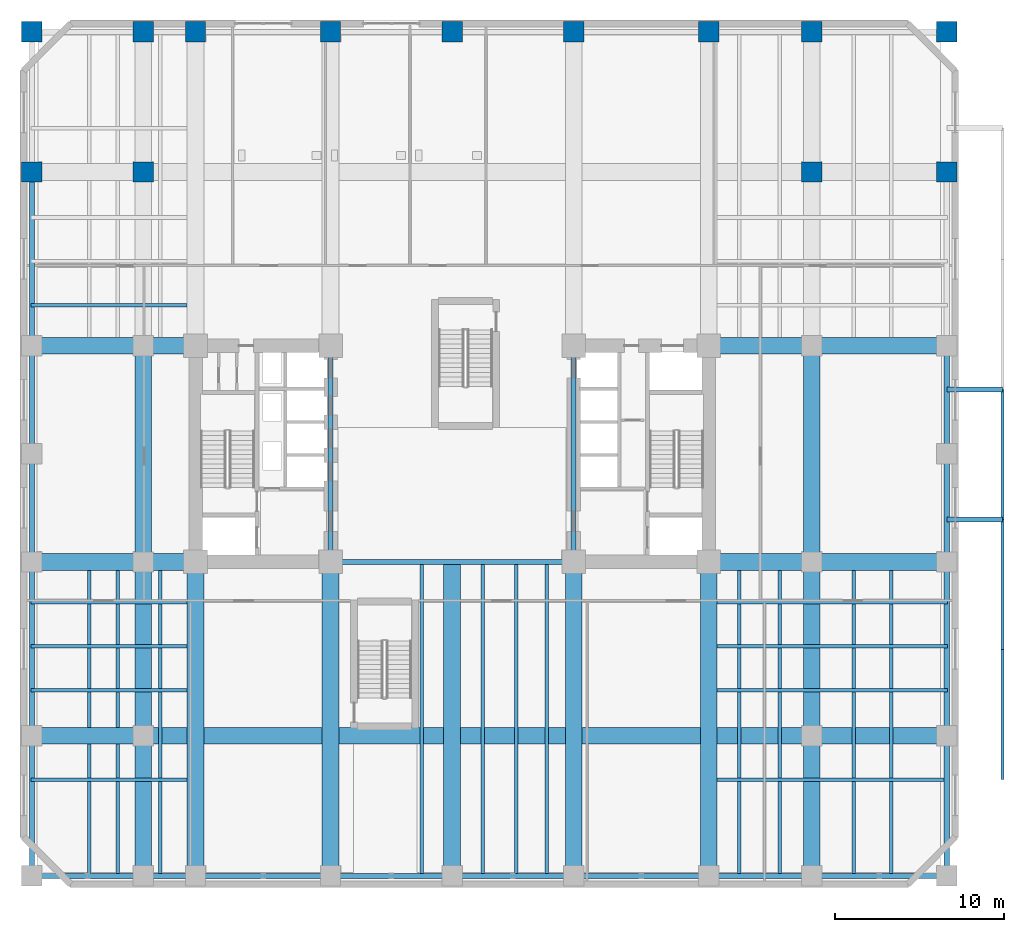
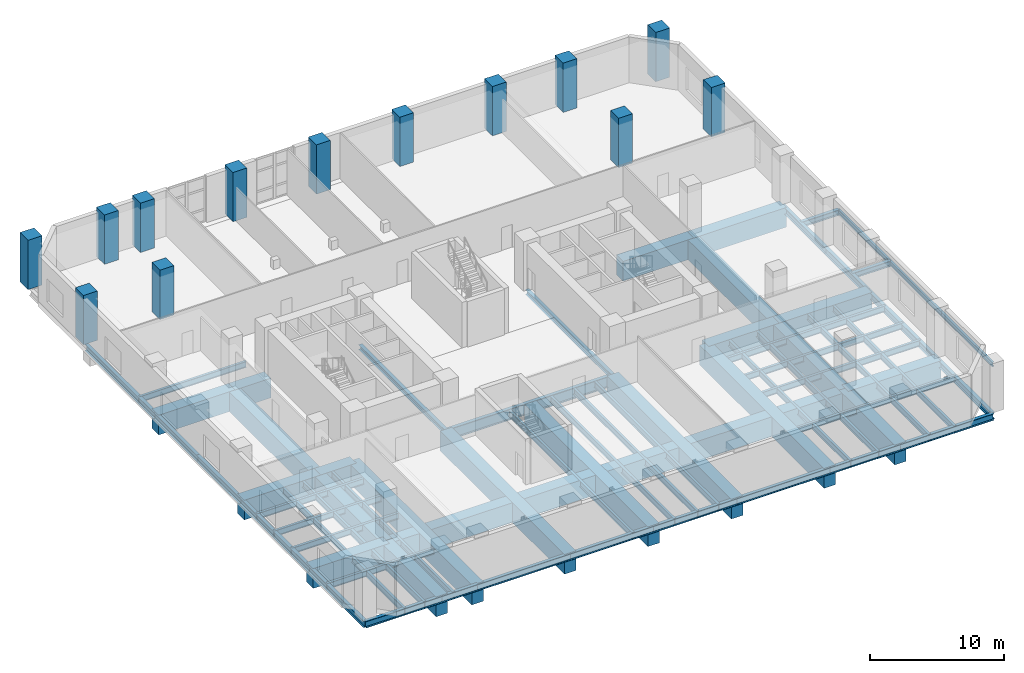
# One storey, part 3 of 15: 67 beams, 13 columns.
"""IFC4 building model written with IfcOpenShell, lengths in metres."""

import ifcopenshell
import ifcopenshell.guid

model = None  # the IFC model being written
_history = None  # IfcOwnerHistory: only IFC2X3 demands one
_inside = {}  # id of a spatial element -> (the spatial element, [elements in it])
_under = {}  # id of a project, library or spatial element -> (it, [spatial elements below it])
_declared = {}  # id of a project -> (the project, [libraries it declares])
_typed = {}  # id of a type object -> (the type object, [elements of that type])
_made_of = {}  # id of a material, layer set ... -> (it, [elements and type objects made of it])


def new_model(schema):
    """Start an empty IFC model of exactly this schema.

    Asked for "IFC4X3", IfcOpenShell would pick the latest addendum, in which some entities
    have other attributes; the version numbers below select the first issue.
    IFC2X3 requires an IfcOwnerHistory on every rooted entity: one is made here for all.
    """
    global model, _history
    if schema == "IFC4X3":
        model = ifcopenshell.file(schema_version=(4, 3, 0, 0))
    else:
        model = ifcopenshell.file(schema=schema)
    _inside.clear()
    _under.clear()
    _declared.clear()
    _typed.clear()
    _made_of.clear()
    _history = None
    if model.schema == "IFC2X3":
        org = make("IfcOrganization", Name="unknown")
        user = make(
            "IfcPersonAndOrganization",
            ThePerson=make("IfcPerson", FamilyName="unknown"),
            TheOrganization=org,
        )
        app = make(
            "IfcApplication",
            ApplicationDeveloper=org,
            Version="unknown",
            ApplicationFullName="unknown",
            ApplicationIdentifier="unknown",
        )
        _history = make(
            "IfcOwnerHistory",
            OwningUser=user,
            OwningApplication=app,
            ChangeAction="ADDED",
            CreationDate=0,
        )
    return model


def make(cls, **values):
    """One entity of the class cls with the attributes given. An attribute that is None is left unset."""
    return model.create_entity(
        cls, **{name: value for name, value in values.items() if value is not None}
    )


def rooted(cls, **values):
    """An entity with a GlobalId (a new one), such as an element, a storey or a relation."""
    return make(cls, GlobalId=ifcopenshell.guid.new(), OwnerHistory=_history, **values)


def si_unit(unit_type, name, prefix=None):
    """IfcSIUnit, for example si_unit("LENGTHUNIT", "METRE", prefix="MILLI")."""
    return make("IfcSIUnit", UnitType=unit_type, Prefix=prefix, Name=name)


def assignment(units):
    """IfcUnitAssignment: the units of a project."""
    return None if units is None else make("IfcUnitAssignment", Units=units)


def point(xyz):
    """IfcCartesianPoint."""
    return None if xyz is None else make("IfcCartesianPoint", Coordinates=xyz)


def direction(xyz):
    """IfcDirection."""
    return None if xyz is None else make("IfcDirection", DirectionRatios=xyz)


def frame(location, z_axis=None, x_axis=None):
    """IfcAxis2Placement3D, a coordinate frame: its origin and axes. An axis left out is left unset."""
    return make(
        "IfcAxis2Placement3D",
        Location=point(location),
        Axis=direction(z_axis),
        RefDirection=direction(x_axis),
    )


def frame_2d(location, x_axis=None):
    """IfcAxis2Placement2D, a coordinate frame in the plane: its origin and x axis."""
    return make(
        "IfcAxis2Placement2D", Location=point(location), RefDirection=direction(x_axis)
    )


def origin():
    """The frame at (0, 0, 0) with its axes left unset."""
    return frame((0.0, 0.0, 0.0))


def origin_2d():
    """The frame at (0, 0) in the plane with its x axis left unset."""
    return frame_2d((0.0, 0.0))


def place(relative_to, where):
    """IfcLocalPlacement: puts the frame where relative to a parent placement (None: the world)."""
    return make(
        "IfcLocalPlacement", PlacementRelTo=relative_to, RelativePlacement=where
    )


def context(
    kind, dimensions, precision=None, world=None, true_north=None, identifier=None
):
    """IfcGeometricRepresentationContext, for example the 3D "Model" context."""
    return make(
        "IfcGeometricRepresentationContext",
        ContextIdentifier=identifier,
        ContextType=kind,
        CoordinateSpaceDimension=dimensions,
        Precision=precision,
        WorldCoordinateSystem=world,
        TrueNorth=true_north,
    )


def subcontext(parent, identifier, kind, view, scale=None):
    """IfcGeometricRepresentationSubContext, for example "Body" below "Model"."""
    return make(
        "IfcGeometricRepresentationSubContext",
        ContextIdentifier=identifier,
        ContextType=kind,
        ParentContext=parent,
        TargetScale=scale,
        TargetView=view,
    )


def project(units=None, contexts=None):
    """IfcProject with its units and contexts."""
    return rooted(
        "IfcProject",
        Name="project",
        RepresentationContexts=contexts,
        UnitsInContext=assignment(units),
    )


def spatial(cls, under=None, at=None, **own):
    """A site, building, storey or space (cls), placed at a placement, below another one or the project."""
    s = rooted(cls, ObjectPlacement=at, **own)
    if under is not None:
        _under.setdefault(under.id(), (under, []))[1].append(s)
    return s


def profile(cls, at=None, kind="AREA", **sizes):
    """A parametric profile (cls). Its sizes go by their IFC names, for example OverallWidth=200.0."""
    return make(cls, ProfileType=kind, Position=at, **sizes)


def rectangle(**sizes):
    """IfcRectangleProfileDef."""
    return profile("IfcRectangleProfileDef", **sizes)


def i_section(**sizes):
    """IfcIShapeProfileDef."""
    return profile("IfcIShapeProfileDef", **sizes)


def extrude(swept, where, along, depth):
    """IfcExtrudedAreaSolid: the profile swept, set in the frame where, extruded along a direction by depth."""
    return make(
        "IfcExtrudedAreaSolid",
        SweptArea=swept,
        Position=where,
        ExtrudedDirection=direction(along),
        Depth=depth,
    )


def shape(context_of_items, identifier, shape_type, items):
    """IfcShapeRepresentation: the items that make up one representation, for example the "Body"."""
    return make(
        "IfcShapeRepresentation",
        ContextOfItems=context_of_items,
        RepresentationIdentifier=identifier,
        RepresentationType=shape_type,
        Items=items,
    )


def material(Name=None, Category=None):
    """IfcMaterial."""
    return make("IfcMaterial", Name=Name, Category=Category)


def material_profile(
    of_material, cross_section, Name=None, Category=None, Priority=None
):
    """IfcMaterialProfile: a cross section and its material."""
    return make(
        "IfcMaterialProfile",
        Name=Name,
        Material=of_material,
        Profile=cross_section,
        Priority=Priority,
        Category=Category,
    )


def profile_set(profiles, Name=None, composite=None):
    """IfcMaterialProfileSet."""
    return make(
        "IfcMaterialProfileSet",
        Name=Name,
        MaterialProfiles=profiles,
        CompositeProfile=composite,
    )


def made_of(thing, what):
    """Note that an element or type object is made of a material, layer set ...; save() writes the relation."""
    if what is not None:
        _made_of.setdefault(what.id(), (what, []))[1].append(thing)
    return thing


def type_object(cls, material=None, **own):
    """A type object (cls), such as IfcWallType, which elements share."""
    return made_of(rooted(cls, **own), material)


def element(
    cls,
    number,
    at=None,
    inside=None,
    cuts=None,
    type_object=None,
    material=None,
    context=None,
    identifier="Body",
    shape_type=None,
    held_by="IfcProductDefinitionShape",
    body=None,
    shapes=None,
    **own,
):
    """One element of the class cls, such as IfcWall. Its Tag is "e" and its number.

    at: its placement. inside: the storey or other place that contains it. cuts: it is an
    opening in that element (IfcRelVoidsElement). A single representation is given by context,
    identifier, shape_type and body (its items); several are given by shapes. held_by: the class
    of the entity that holds the representations. save() writes the other relations.
    """
    e = rooted(cls, Tag="e%d" % number, ObjectPlacement=at, **own)
    if body is not None:
        shapes = [shape(context, identifier, shape_type, body)]
    if shapes is not None:
        e.Representation = make(held_by, Representations=shapes)
    if inside is not None:
        _inside.setdefault(inside.id(), (inside, []))[1].append(e)
    if cuts is not None:
        rooted(
            "IfcRelVoidsElement", RelatingBuildingElement=cuts, RelatedOpeningElement=e
        )
    if type_object is not None:
        _typed.setdefault(type_object.id(), (type_object, []))[1].append(e)
    return made_of(e, material)


def aggregate(whole, parts):
    """IfcRelAggregates: a whole, such as a stair, and the parts it consists of."""
    return rooted("IfcRelAggregates", RelatingObject=whole, RelatedObjects=parts)


def save(model, path):
    """Write the relations noted so far, then the file.

    IfcRelAggregates (storeys below a building ...), IfcRelContainedInSpatialStructure (elements
    in a storey), IfcRelDefinesByType, IfcRelAssociatesMaterial and IfcRelDeclares: one each for
    every whole, place, type object, material and project.
    """
    for whole, parts in _under.values():
        aggregate(whole, parts)
    for where, things in _inside.values():
        rooted(
            "IfcRelContainedInSpatialStructure",
            RelatedElements=things,
            RelatingStructure=where,
        )
    for kind, things in _typed.values():
        rooted("IfcRelDefinesByType", RelatedObjects=things, RelatingType=kind)
    for what, things in _made_of.values():
        rooted("IfcRelAssociatesMaterial", RelatedObjects=things, RelatingMaterial=what)
    for by, libraries in _declared.values():
        rooted("IfcRelDeclares", RelatingContext=by, RelatedDefinitions=libraries)
    model.write(path)


model = new_model("IFC4")

# Units and contexts
model_context = context("Model", 3, precision=1e-05, world=origin(), true_north=direction((0.0, 1.0)))
body_context = subcontext(model_context, "Body", "Model", "MODEL_VIEW")
ifc_project = project(units=[si_unit("LENGTHUNIT", "METRE"), si_unit("AREAUNIT", "SQUARE_METRE"), si_unit("VOLUMEUNIT", "CUBIC_METRE"), si_unit("PLANEANGLEUNIT", "RADIAN"), si_unit("MASSUNIT", "GRAM", prefix="KILO")], contexts=[model_context])

# Site, building, storey
site_placement = place(None, origin())
site = spatial("IfcSite", under=ifc_project, at=site_placement, CompositionType="ELEMENT")
building_placement = place(site_placement, origin())
building = spatial("IfcBuilding", under=site, at=building_placement, Name="Kranthara Brick Stack", CompositionType="ELEMENT")
storey_placement = place(building_placement, frame((0.0, 0.0, 5.39990234375)))
storey = spatial("IfcBuildingStorey", under=building, at=storey_placement, Name="L01", CompositionType="ELEMENT", Elevation=5.39990234375)

# Columns
ifc_material_1 = material(Name="Concrete C70/85", Category="concrete")
ifc_material_profile_1 = material_profile(ifc_material_1, rectangle(XDim=1.199951171875, YDim=1.199951171875, at=origin_2d()), Name="RC 1200x1200")
ifc_profile_set_1 = profile_set([ifc_material_profile_1], Name="Concrete C70/85")
column_type = type_object("IfcColumnType", Name="COL-RC-1200", PredefinedType="COLUMN", material=ifc_profile_set_1)
for number, where, z_axis, x_axis, name in (
    (1, (3.10009765625, 52.199951171875, 0.0), (0.0, 0.0, 1.0), (1.0, 0.0, 0.0), "L01 Column 10"),
    (2, (9.699951171875, 52.199951171875, 0.0), (0.0, 0.0, 1.0), (1.0, 0.0, 0.0), "L01 Column 12"),
    (3, (12.800048828125, 52.199951171875, 0.0), (0.0, 0.0, 1.0), (1.0, 0.0, 0.0), "L01 Column 14"),
    (4, (20.800048828125, 52.199951171875, 0.0), (0.0, 0.0, 1.0), (1.0, 0.0, 0.0), "L01 Column 16"),
    (5, (28.0, 52.199951171875, 0.0), (0.0, 0.0, 1.0), (1.0, 0.0, 0.0), "L01 Column 18"),
    (6, (35.199951171875, 52.199951171875, 0.0), (0.0, 0.0, 1.0), (1.0, 0.0, 0.0), "L01 Column 20"),
    (7, (43.199951171875, 52.199951171875, 0.0), (0.0, 0.0, 1.0), (1.0, 0.0, 0.0), "L01 Column 22"),
    (8, (49.300048828125, 52.199951171875, 0.0), (0.0, 0.0, 1.0), (1.0, 0.0, 0.0), "L01 Column 24"),
    (9, (57.300048828125, 52.199951171875, 0.0), (0.0, 0.0, 1.0), (1.0, 0.0, 0.0), "L01 Column 26"),
    (10, (3.10009765625, 43.89990234375, 0.0), (0.0, 0.0, 1.0), (1.0, 0.0, 0.0), "L01 Column 35"),
    (11, (57.300048828125, 43.89990234375, 0.0), (0.0, 0.0, 1.0), (1.0, 0.0, 0.0), "L01 Column 36"),
    (12, (9.699951171875, 43.89990234375, 0.0), (0.0, 0.0, 1.0), (1.0, 0.0, 0.0), "L01 Column 40"),
    (13, (49.300048828125, 43.89990234375, 0.0), (0.0, 0.0, 1.0), (1.0, 0.0, 0.0), "L01 Column 44"),
):
    element("IfcColumn", number, at=place(storey_placement, frame(where, z_axis=z_axis, x_axis=x_axis)), inside=storey, type_object=column_type, Name=name, PredefinedType="COLUMN", context=body_context, shape_type="SweptSolid", body=[
        extrude(rectangle(XDim=1.199951171875, YDim=1.199951171875, at=origin_2d()), origin(), (0.0, 0.0, 1.0), 4.5),
    ])

# Beams
ifc_material_2 = material(Name="Steel S355", Category="steel")
ifc_material_profile_2 = material_profile(ifc_material_2, i_section(OverallWidth=0.179931640625, OverallDepth=0.39990234375, WebThickness=0.008544921875, FlangeThickness=0.013427734375, at=origin_2d()), Name="IPE 400")
ifc_profile_set_2 = profile_set([ifc_material_profile_2], Name="Steel S355")
beam_type_1 = type_object("IfcBeamType", Name="BM-JST-IPE400", PredefinedType="JOIST", material=ifc_profile_set_2)
beam_1_placement = place(storey_placement, frame((60.60009765625, 7.89990234375, -0.64990234375), z_axis=(0.0, 1.0, 0.0), x_axis=(-1.0, 0.0, 0.0)))
element("IfcBeam", 14, at=beam_1_placement, inside=storey, type_object=beam_type_1, Name="L01 Canopy Edge Joist 100", PredefinedType="JOIST", context=body_context, shape_type="SweptSolid", body=[
    extrude(i_section(OverallWidth=0.179931640625, OverallDepth=0.39990234375, WebThickness=0.008544921875, FlangeThickness=0.013427734375, at=origin_2d()), origin(), (0.0, 0.0, 1.0), 7.7001953125),
])
for number, where, z_axis, x_axis, name in (
    (15, (60.60009765625, 15.60009765625, -0.64990234375), (0.0, 1.0, 0.0), (-1.0, 0.0, 0.0), "L01 Canopy Edge Joist 101"),
    (16, (60.60009765625, 23.300048828125, -0.64990234375), (0.0, 1.0, 0.0), (-1.0, 0.0, 0.0), "L01 Canopy Edge Joist 102"),
):
    element("IfcBeam", number, at=place(storey_placement, frame(where, z_axis=z_axis, x_axis=x_axis)), inside=storey, type_object=beam_type_1, Name=name, PredefinedType="JOIST", context=body_context, shape_type="SweptSolid", body=[
        extrude(i_section(OverallWidth=0.179931640625, OverallDepth=0.39990234375, WebThickness=0.008544921875, FlangeThickness=0.013427734375, at=origin_2d()), origin(), (0.0, 0.0, 1.0), 7.699951171875),
    ])
ifc_material_3 = material(Name="Steel S355", Category="steel")
ifc_material_profile_3 = material_profile(ifc_material_3, i_section(OverallWidth=0.2099609375, OverallDepth=0.550048828125, WebThickness=0.010986328125, FlangeThickness=0.01708984375, at=origin_2d()), Name="IPE 550")
ifc_profile_set_3 = profile_set([ifc_material_profile_3], Name="Steel S355")
beam_type_2 = type_object("IfcBeamType", Name="BM-JST-IPE550", PredefinedType="JOIST", material=ifc_profile_set_3)
for number, where, z_axis, x_axis, name in (
    (17, (6.5, 2.14990234375, -0.724853515625), (0.0, 1.0, 0.0), (-1.0, 0.0, 0.0), "L01 South Wing Floor Joist 064"),
    (18, (8.199951171875, 2.14990234375, -0.724853515625), (0.0, 1.0, 0.0), (-1.0, 0.0, 0.0), "L01 South Wing Floor Joist 066"),
    (19, (10.699951171875, 2.14990234375, -0.724853515625), (0.0, 1.0, 0.0), (-1.0, 0.0, 0.0), "L01 South Wing Floor Joist 068"),
):
    element("IfcBeam", number, at=place(storey_placement, frame(where, z_axis=z_axis, x_axis=x_axis)), inside=storey, type_object=beam_type_2, Name=name, PredefinedType="JOIST", context=body_context, shape_type="SweptSolid", body=[
        extrude(i_section(OverallWidth=0.2099609375, OverallDepth=0.550048828125, WebThickness=0.010986328125, FlangeThickness=0.01708984375, at=origin_2d()), origin(), (0.0, 0.0, 1.0), 18.150146484375),
    ])
for number, where, z_axis, x_axis, name in (
    (20, (26.199951171875, 2.14990234375, -0.724853515625), (0.0, 1.0, 0.0), (-1.0, 0.0, 0.0), "L01 South Wing Floor Joist 070"),
    (21, (29.800048828125, 2.14990234375, -0.724853515625), (0.0, 1.0, 0.0), (-1.0, 0.0, 0.0), "L01 South Wing Floor Joist 071"),
    (22, (31.800048828125, 2.14990234375, -0.724853515625), (0.0, 1.0, 0.0), (-1.0, 0.0, 0.0), "L01 South Wing Floor Joist 072"),
    (23, (33.60009765625, 2.14990234375, -0.724853515625), (0.0, 1.0, 0.0), (-1.0, 0.0, 0.0), "L01 South Wing Floor Joist 073"),
):
    element("IfcBeam", number, at=place(storey_placement, frame(where, z_axis=z_axis, x_axis=x_axis)), inside=storey, type_object=beam_type_2, Name=name, PredefinedType="JOIST", context=body_context, shape_type="SweptSolid", body=[
        extrude(i_section(OverallWidth=0.2099609375, OverallDepth=0.550048828125, WebThickness=0.010986328125, FlangeThickness=0.01708984375, at=origin_2d()), origin(), (0.0, 0.0, 1.0), 18.5),
    ])
for number, where, z_axis, x_axis, name in (
    (24, (45.0, 2.14990234375, -0.724853515625), (0.0, 1.0, 0.0), (-1.0, 0.0, 0.0), "L01 South Wing Floor Joist 074"),
    (25, (47.39990234375, 2.14990234375, -0.724853515625), (0.0, 1.0, 0.0), (-1.0, 0.0, 0.0), "L01 South Wing Floor Joist 076"),
    (26, (51.800048828125, 2.14990234375, -0.724853515625), (0.0, 1.0, 0.0), (-1.0, 0.0, 0.0), "L01 South Wing Floor Joist 078"),
    (27, (54.0, 2.14990234375, -0.724853515625), (0.0, 1.0, 0.0), (-1.0, 0.0, 0.0), "L01 South Wing Floor Joist 080"),
):
    element("IfcBeam", number, at=place(storey_placement, frame(where, z_axis=z_axis, x_axis=x_axis)), inside=storey, type_object=beam_type_2, Name=name, PredefinedType="JOIST", context=body_context, shape_type="SweptSolid", body=[
        extrude(i_section(OverallWidth=0.2099609375, OverallDepth=0.550048828125, WebThickness=0.010986328125, FlangeThickness=0.01708984375, at=origin_2d()), origin(), (0.0, 0.0, 1.0), 18.150146484375),
    ])
beam_2_placement = place(storey_placement, frame((3.050048828125, 7.89990234375, -0.724853515625), z_axis=(1.0, 0.0, 0.0), x_axis=(0.0, 1.0, 0.0)))
element("IfcBeam", 28, at=beam_2_placement, inside=storey, type_object=beam_type_2, Name="L01 West Wing Floor Joist 082", PredefinedType="JOIST", context=body_context, shape_type="SweptSolid", body=[
    extrude(i_section(OverallWidth=0.2099609375, OverallDepth=0.550048828125, WebThickness=0.010986328125, FlangeThickness=0.01708984375, at=origin_2d()), origin(), (0.0, 0.0, 1.0), 9.25),
])
beam_3_placement = place(storey_placement, frame((43.699951171875, 7.89990234375, -0.724853515625), z_axis=(1.0, 0.0, 0.0), x_axis=(0.0, 1.0, 0.0)))
element("IfcBeam", 29, at=beam_3_placement, inside=storey, type_object=beam_type_2, Name="L01 East Wing Floor Joist 083", PredefinedType="JOIST", context=body_context, shape_type="SweptSolid", body=[
    extrude(i_section(OverallWidth=0.2099609375, OverallDepth=0.550048828125, WebThickness=0.010986328125, FlangeThickness=0.01708984375, at=origin_2d()), origin(), (0.0, 0.0, 1.0), 13.650146484375),
])
beam_4_placement = place(storey_placement, frame((3.050048828125, 13.199951171875, -0.724853515625), z_axis=(1.0, 0.0, 0.0), x_axis=(0.0, 1.0, 0.0)))
element("IfcBeam", 30, at=beam_4_placement, inside=storey, type_object=beam_type_2, Name="L01 West Wing Floor Joist 084", PredefinedType="JOIST", context=body_context, shape_type="SweptSolid", body=[
    extrude(i_section(OverallWidth=0.2099609375, OverallDepth=0.550048828125, WebThickness=0.010986328125, FlangeThickness=0.01708984375, at=origin_2d()), origin(), (0.0, 0.0, 1.0), 9.25),
])
beam_5_placement = place(storey_placement, frame((43.699951171875, 13.199951171875, -0.724853515625), z_axis=(1.0, 0.0, 0.0), x_axis=(0.0, 1.0, 0.0)))
element("IfcBeam", 31, at=beam_5_placement, inside=storey, type_object=beam_type_2, Name="L01 East Wing Floor Joist 085", PredefinedType="JOIST", context=body_context, shape_type="SweptSolid", body=[
    extrude(i_section(OverallWidth=0.2099609375, OverallDepth=0.550048828125, WebThickness=0.010986328125, FlangeThickness=0.01708984375, at=origin_2d()), origin(), (0.0, 0.0, 1.0), 13.650146484375),
])
beam_6_placement = place(storey_placement, frame((3.050048828125, 15.800048828125, -0.724853515625), z_axis=(1.0, 0.0, 0.0), x_axis=(0.0, 1.0, 0.0)))
element("IfcBeam", 32, at=beam_6_placement, inside=storey, type_object=beam_type_2, Name="L01 West Wing Floor Joist 086", PredefinedType="JOIST", context=body_context, shape_type="SweptSolid", body=[
    extrude(i_section(OverallWidth=0.2099609375, OverallDepth=0.550048828125, WebThickness=0.010986328125, FlangeThickness=0.01708984375, at=origin_2d()), origin(), (0.0, 0.0, 1.0), 9.25),
])
beam_7_placement = place(storey_placement, frame((43.699951171875, 15.800048828125, -0.724853515625), z_axis=(1.0, 0.0, 0.0), x_axis=(0.0, 1.0, 0.0)))
element("IfcBeam", 33, at=beam_7_placement, inside=storey, type_object=beam_type_2, Name="L01 East Wing Floor Joist 087", PredefinedType="JOIST", context=body_context, shape_type="SweptSolid", body=[
    extrude(i_section(OverallWidth=0.2099609375, OverallDepth=0.550048828125, WebThickness=0.010986328125, FlangeThickness=0.01708984375, at=origin_2d()), origin(), (0.0, 0.0, 1.0), 13.650146484375),
])
beam_8_placement = place(storey_placement, frame((3.050048828125, 18.39990234375, -0.724853515625), z_axis=(1.0, 0.0, 0.0), x_axis=(0.0, 1.0, 0.0)))
element("IfcBeam", 34, at=beam_8_placement, inside=storey, type_object=beam_type_2, Name="L01 West Wing Floor Joist 088", PredefinedType="JOIST", context=body_context, shape_type="SweptSolid", body=[
    extrude(i_section(OverallWidth=0.2099609375, OverallDepth=0.550048828125, WebThickness=0.010986328125, FlangeThickness=0.01708984375, at=origin_2d()), origin(), (0.0, 0.0, 1.0), 9.25),
])
beam_9_placement = place(storey_placement, frame((43.699951171875, 18.39990234375, -0.724853515625), z_axis=(1.0, 0.0, 0.0), x_axis=(0.0, 1.0, 0.0)))
element("IfcBeam", 35, at=beam_9_placement, inside=storey, type_object=beam_type_2, Name="L01 East Wing Floor Joist 089", PredefinedType="JOIST", context=body_context, shape_type="SweptSolid", body=[
    extrude(i_section(OverallWidth=0.2099609375, OverallDepth=0.550048828125, WebThickness=0.010986328125, FlangeThickness=0.01708984375, at=origin_2d()), origin(), (0.0, 0.0, 1.0), 13.650146484375),
])
beam_10_placement = place(storey_placement, frame((3.050048828125, 36.0, -0.724853515625), z_axis=(1.0, 0.0, 0.0), x_axis=(0.0, 1.0, 0.0)))
element("IfcBeam", 36, at=beam_10_placement, inside=storey, type_object=beam_type_2, Name="L01 West Wing Floor Joist 090", PredefinedType="JOIST", context=body_context, shape_type="SweptSolid", body=[
    extrude(i_section(OverallWidth=0.2099609375, OverallDepth=0.550048828125, WebThickness=0.010986328125, FlangeThickness=0.01708984375, at=origin_2d()), origin(), (0.0, 0.0, 1.0), 9.25),
])
ifc_material_4 = material(Name="Steel S355", Category="steel")
ifc_material_profile_4 = material_profile(ifc_material_4, i_section(OverallWidth=0.300048828125, OverallDepth=0.449951171875, WebThickness=0.013916015625, FlangeThickness=0.02587890625, at=origin_2d()), Name="HEB 450")
ifc_profile_set_4 = profile_set([ifc_material_profile_4], Name="Steel S355")
beam_type_3 = type_object("IfcBeamType", Name="BM-STL-HEB450", PredefinedType="SPANDREL", material=ifc_profile_set_4)
for number, where, z_axis, x_axis, name in (
    (37, (20.800048828125, 20.800048828125, -0.6748046875), (0.0, 1.0, 0.0), (-1.0, 0.0, 0.0), "L01 Core Edge Tie Beam 002"),
    (38, (35.199951171875, 20.800048828125, -0.6748046875), (0.0, 1.0, 0.0), (-1.0, 0.0, 0.0), "L01 Core Edge Tie Beam 003"),
):
    element("IfcBeam", number, at=place(storey_placement, frame(where, z_axis=z_axis, x_axis=x_axis)), inside=storey, type_object=beam_type_3, Name=name, PredefinedType="SPANDREL", context=body_context, shape_type="SweptSolid", body=[
        extrude(i_section(OverallWidth=0.300048828125, OverallDepth=0.449951171875, WebThickness=0.013916015625, FlangeThickness=0.02587890625, at=origin_2d()), origin(), (0.0, 0.0, 1.0), 12.800048828125),
    ])
ifc_material_5 = material(Name="Steel S355", Category="steel")
ifc_material_profile_5 = material_profile(ifc_material_5, i_section(OverallWidth=0.300048828125, OverallDepth=0.5, WebThickness=0.014404296875, FlangeThickness=0.028076171875, at=origin_2d()), Name="HEB 500")
ifc_profile_set_5 = profile_set([ifc_material_profile_5], Name="Steel S355")
beam_type_4 = type_object("IfcBeamType", Name="BM-STL-HEB500", PredefinedType="BEAM", material=ifc_profile_set_5)
for number, where, z_axis, x_axis, name in (
    (39, (57.300048828125, 23.300048828125, -0.699951171875), (1.0, 0.0, 0.0), (0.0, 1.0, 0.0), "L01 Canopy Tie Beam 097"),
    (40, (57.300048828125, 31.0, -0.699951171875), (1.0, 0.0, 0.0), (0.0, 1.0, 0.0), "L01 Canopy Tie Beam 098"),
):
    element("IfcBeam", number, at=place(storey_placement, frame(where, z_axis=z_axis, x_axis=x_axis)), inside=storey, type_object=beam_type_4, Name=name, PredefinedType="BEAM", context=body_context, shape_type="SweptSolid", body=[
        extrude(i_section(OverallWidth=0.300048828125, OverallDepth=0.5, WebThickness=0.014404296875, FlangeThickness=0.028076171875, at=origin_2d()), origin(), (0.0, 0.0, 1.0), 3.300048828125),
    ])
ifc_material_6 = material(Name="Steel S355", Category="steel")
ifc_material_profile_6 = material_profile(ifc_material_6, i_section(OverallWidth=0.300048828125, OverallDepth=0.60009765625, WebThickness=0.015380859375, FlangeThickness=0.030029296875, at=origin_2d()), Name="HEB 600")
ifc_profile_set_6 = profile_set([ifc_material_profile_6], Name="Steel S355")
beam_type_5 = type_object("IfcBeamType", Name="BM-STL-HEB600", PredefinedType="BEAM", material=ifc_profile_set_6)
beam_11_placement = place(storey_placement, frame((3.10009765625, 2.199951171875, -0.75), z_axis=(1.0, 0.0, 0.0), x_axis=(0.0, 1.0, 0.0)))
element("IfcBeam", 41, at=beam_11_placement, inside=storey, type_object=beam_type_5, Name="L01 Perimeter Spandrel Beam 004", PredefinedType="BEAM", context=body_context, shape_type="SweptSolid", body=[
    extrude(i_section(OverallWidth=0.300048828125, OverallDepth=0.60009765625, WebThickness=0.015380859375, FlangeThickness=0.030029296875, at=origin_2d()), origin(), (0.0, 0.0, 1.0), 6.599853515625),
])
beam_12_placement = place(storey_placement, frame((9.699951171875, 2.199951171875, -0.75), z_axis=(1.0, 0.0, 0.0), x_axis=(0.0, 1.0, 0.0)))
element("IfcBeam", 42, at=beam_12_placement, inside=storey, type_object=beam_type_5, Name="L01 Perimeter Spandrel Beam 005", PredefinedType="BEAM", context=body_context, shape_type="SweptSolid", body=[
    extrude(i_section(OverallWidth=0.300048828125, OverallDepth=0.60009765625, WebThickness=0.015380859375, FlangeThickness=0.030029296875, at=origin_2d()), origin(), (0.0, 0.0, 1.0), 3.10009765625),
])
beam_13_placement = place(storey_placement, frame((12.800048828125, 2.199951171875, -0.75), z_axis=(1.0, 0.0, 0.0), x_axis=(0.0, 1.0, 0.0)))
element("IfcBeam", 43, at=beam_13_placement, inside=storey, type_object=beam_type_5, Name="L01 Perimeter Spandrel Beam 006", PredefinedType="BEAM", context=body_context, shape_type="SweptSolid", body=[
    extrude(i_section(OverallWidth=0.300048828125, OverallDepth=0.60009765625, WebThickness=0.015380859375, FlangeThickness=0.030029296875, at=origin_2d()), origin(), (0.0, 0.0, 1.0), 8.0),
])
for number, where, z_axis, x_axis, name in (
    (44, (20.800048828125, 2.199951171875, -0.75), (1.0, 0.0, 0.0), (0.0, 1.0, 0.0), "L01 Perimeter Spandrel Beam 007"),
    (45, (28.0, 2.199951171875, -0.75), (1.0, 0.0, 0.0), (0.0, 1.0, 0.0), "L01 Perimeter Spandrel Beam 008"),
):
    element("IfcBeam", number, at=place(storey_placement, frame(where, z_axis=z_axis, x_axis=x_axis)), inside=storey, type_object=beam_type_5, Name=name, PredefinedType="BEAM", context=body_context, shape_type="SweptSolid", body=[
        extrude(i_section(OverallWidth=0.300048828125, OverallDepth=0.60009765625, WebThickness=0.015380859375, FlangeThickness=0.030029296875, at=origin_2d()), origin(), (0.0, 0.0, 1.0), 7.199951171875),
    ])
beam_14_placement = place(storey_placement, frame((35.199951171875, 2.199951171875, -0.75), z_axis=(1.0, 0.0, 0.0), x_axis=(0.0, 1.0, 0.0)))
element("IfcBeam", 46, at=beam_14_placement, inside=storey, type_object=beam_type_5, Name="L01 Perimeter Spandrel Beam 009", PredefinedType="BEAM", context=body_context, shape_type="SweptSolid", body=[
    extrude(i_section(OverallWidth=0.300048828125, OverallDepth=0.60009765625, WebThickness=0.015380859375, FlangeThickness=0.030029296875, at=origin_2d()), origin(), (0.0, 0.0, 1.0), 8.0),
])
beam_15_placement = place(storey_placement, frame((43.199951171875, 2.199951171875, -0.75), z_axis=(1.0, 0.0, 0.0), x_axis=(0.0, 1.0, 0.0)))
element("IfcBeam", 47, at=beam_15_placement, inside=storey, type_object=beam_type_5, Name="L01 Perimeter Spandrel Beam 010", PredefinedType="BEAM", context=body_context, shape_type="SweptSolid", body=[
    extrude(i_section(OverallWidth=0.300048828125, OverallDepth=0.60009765625, WebThickness=0.015380859375, FlangeThickness=0.030029296875, at=origin_2d()), origin(), (0.0, 0.0, 1.0), 6.10009765625),
])
beam_16_placement = place(storey_placement, frame((49.300048828125, 2.199951171875, -0.75), z_axis=(1.0, 0.0, 0.0), x_axis=(0.0, 1.0, 0.0)))
element("IfcBeam", 48, at=beam_16_placement, inside=storey, type_object=beam_type_5, Name="L01 Perimeter Spandrel Beam 011", PredefinedType="BEAM", context=body_context, shape_type="SweptSolid", body=[
    extrude(i_section(OverallWidth=0.300048828125, OverallDepth=0.60009765625, WebThickness=0.015380859375, FlangeThickness=0.030029296875, at=origin_2d()), origin(), (0.0, 0.0, 1.0), 8.0),
])
beam_17_placement = place(storey_placement, frame((3.10009765625, 2.199951171875, -0.75), z_axis=(0.0, 1.0, 0.0), x_axis=(-1.0, 0.0, 0.0)))
element("IfcBeam", 49, at=beam_17_placement, inside=storey, type_object=beam_type_5, Name="L01 Perimeter Spandrel Beam 020", PredefinedType="BEAM", context=body_context, shape_type="SweptSolid", body=[
    extrude(i_section(OverallWidth=0.300048828125, OverallDepth=0.60009765625, WebThickness=0.015380859375, FlangeThickness=0.030029296875, at=origin_2d()), origin(), (0.0, 0.0, 1.0), 8.300048828125),
])
beam_18_placement = place(storey_placement, frame((3.10009765625, 10.5, -0.75), z_axis=(0.0, 1.0, 0.0), x_axis=(-1.0, 0.0, 0.0)))
element("IfcBeam", 50, at=beam_18_placement, inside=storey, type_object=beam_type_5, Name="L01 Perimeter Spandrel Beam 021", PredefinedType="BEAM", context=body_context, shape_type="SweptSolid", body=[
    extrude(i_section(OverallWidth=0.300048828125, OverallDepth=0.60009765625, WebThickness=0.015380859375, FlangeThickness=0.030029296875, at=origin_2d()), origin(), (0.0, 0.0, 1.0), 10.300048828125),
])
beam_19_placement = place(storey_placement, frame((3.10009765625, 20.800048828125, -0.75), z_axis=(0.0, 1.0, 0.0), x_axis=(-1.0, 0.0, 0.0)))
element("IfcBeam", 51, at=beam_19_placement, inside=storey, type_object=beam_type_5, Name="L01 Perimeter Spandrel Beam 022", PredefinedType="BEAM", context=body_context, shape_type="SweptSolid", body=[
    extrude(i_section(OverallWidth=0.300048828125, OverallDepth=0.60009765625, WebThickness=0.015380859375, FlangeThickness=0.030029296875, at=origin_2d()), origin(), (0.0, 0.0, 1.0), 6.39990234375),
])
beam_20_placement = place(storey_placement, frame((3.10009765625, 27.199951171875, -0.75), z_axis=(0.0, 1.0, 0.0), x_axis=(-1.0, 0.0, 0.0)))
element("IfcBeam", 52, at=beam_20_placement, inside=storey, type_object=beam_type_5, Name="L01 Perimeter Spandrel Beam 023", PredefinedType="BEAM", context=body_context, shape_type="SweptSolid", body=[
    extrude(i_section(OverallWidth=0.300048828125, OverallDepth=0.60009765625, WebThickness=0.015380859375, FlangeThickness=0.030029296875, at=origin_2d()), origin(), (0.0, 0.0, 1.0), 6.400146484375),
])
beam_21_placement = place(storey_placement, frame((3.10009765625, 33.60009765625, -0.75), z_axis=(0.0, 1.0, 0.0), x_axis=(-1.0, 0.0, 0.0)))
element("IfcBeam", 53, at=beam_21_placement, inside=storey, type_object=beam_type_5, Name="L01 Perimeter Spandrel Beam 024", PredefinedType="BEAM", context=body_context, shape_type="SweptSolid", body=[
    extrude(i_section(OverallWidth=0.300048828125, OverallDepth=0.60009765625, WebThickness=0.015380859375, FlangeThickness=0.030029296875, at=origin_2d()), origin(), (0.0, 0.0, 1.0), 10.2998046875),
])
beam_22_placement = place(storey_placement, frame((57.300048828125, 2.199951171875, -0.75), z_axis=(0.0, 1.0, 0.0), x_axis=(-1.0, 0.0, 0.0)))
element("IfcBeam", 54, at=beam_22_placement, inside=storey, type_object=beam_type_5, Name="L01 Perimeter Spandrel Beam 026", PredefinedType="BEAM", context=body_context, shape_type="SweptSolid", body=[
    extrude(i_section(OverallWidth=0.300048828125, OverallDepth=0.60009765625, WebThickness=0.015380859375, FlangeThickness=0.030029296875, at=origin_2d()), origin(), (0.0, 0.0, 1.0), 8.300048828125),
])
beam_23_placement = place(storey_placement, frame((57.300048828125, 10.5, -0.75), z_axis=(0.0, 1.0, 0.0), x_axis=(-1.0, 0.0, 0.0)))
element("IfcBeam", 55, at=beam_23_placement, inside=storey, type_object=beam_type_5, Name="L01 Perimeter Spandrel Beam 027", PredefinedType="BEAM", context=body_context, shape_type="SweptSolid", body=[
    extrude(i_section(OverallWidth=0.300048828125, OverallDepth=0.60009765625, WebThickness=0.015380859375, FlangeThickness=0.030029296875, at=origin_2d()), origin(), (0.0, 0.0, 1.0), 10.300048828125),
])
beam_24_placement = place(storey_placement, frame((57.300048828125, 20.800048828125, -0.75), z_axis=(0.0, 1.0, 0.0), x_axis=(-1.0, 0.0, 0.0)))
element("IfcBeam", 56, at=beam_24_placement, inside=storey, type_object=beam_type_5, Name="L01 Perimeter Spandrel Beam 028", PredefinedType="BEAM", context=body_context, shape_type="SweptSolid", body=[
    extrude(i_section(OverallWidth=0.300048828125, OverallDepth=0.60009765625, WebThickness=0.015380859375, FlangeThickness=0.030029296875, at=origin_2d()), origin(), (0.0, 0.0, 1.0), 6.39990234375),
])
beam_25_placement = place(storey_placement, frame((57.300048828125, 27.199951171875, -0.75), z_axis=(0.0, 1.0, 0.0), x_axis=(-1.0, 0.0, 0.0)))
element("IfcBeam", 57, at=beam_25_placement, inside=storey, type_object=beam_type_5, Name="L01 Perimeter Spandrel Beam 029", PredefinedType="BEAM", context=body_context, shape_type="SweptSolid", body=[
    extrude(i_section(OverallWidth=0.300048828125, OverallDepth=0.60009765625, WebThickness=0.015380859375, FlangeThickness=0.030029296875, at=origin_2d()), origin(), (0.0, 0.0, 1.0), 6.400146484375),
])
ifc_material_7 = material(Name="Steel S460", Category="steel")
ifc_material_profile_7 = material_profile(ifc_material_7, i_section(OverallWidth=0.300048828125, OverallDepth=1.0, WebThickness=0.01904296875, FlangeThickness=0.035888671875, at=origin_2d()), Name="HEB 1000")
ifc_profile_set_7 = profile_set([ifc_material_profile_7], Name="Steel S460")
beam_type_6 = type_object("IfcBeamType", Name="BM-TR-HEB1000", PredefinedType="BEAM", material=ifc_profile_set_7)
beam_26_placement = place(storey_placement, frame((20.800048828125, 20.800048828125, -0.949951171875), z_axis=(1.0, 0.0, 0.0), x_axis=(0.0, 1.0, 0.0)))
element("IfcBeam", 58, at=beam_26_placement, inside=storey, type_object=beam_type_6, Name="L01 Core Coupling Beam 001", PredefinedType="BEAM", context=body_context, shape_type="SweptSolid", body=[
    extrude(i_section(OverallWidth=0.300048828125, OverallDepth=1.0, WebThickness=0.01904296875, FlangeThickness=0.035888671875, at=origin_2d()), origin(), (0.0, 0.0, 1.0), 14.39990234375),
])
ifc_material_8 = material(Name="Post-tensioned concrete C50/60", Category="concrete")
ifc_material_profile_8 = material_profile(ifc_material_8, rectangle(XDim=1.0, YDim=1.800048828125, at=origin_2d()), Name="PT 1000x1800")
ifc_profile_set_8 = profile_set([ifc_material_profile_8], Name="Post-tensioned concrete C50/60")
beam_type_7 = type_object("IfcBeamType", Name="BM-TR-PT1800", PredefinedType="T_BEAM", material=ifc_profile_set_8)
beam_27_placement = place(storey_placement, frame((9.699951171875, 2.199951171875, -1.349853515625), z_axis=(0.0, 1.0, 0.0), x_axis=(-1.0, 0.0, 0.0)))
element("IfcBeam", 59, at=beam_27_placement, inside=storey, type_object=beam_type_7, Name="L01 Primary Grid Girder 031", PredefinedType="T_BEAM", context=body_context, shape_type="SweptSolid", body=[
    extrude(rectangle(XDim=1.0, YDim=1.800048828125, at=origin_2d()), origin(), (0.0, 0.0, 1.0), 8.300048828125),
])
beam_28_placement = place(storey_placement, frame((9.699951171875, 10.5, -1.349853515625), z_axis=(0.0, 1.0, 0.0), x_axis=(-1.0, 0.0, 0.0)))
element("IfcBeam", 60, at=beam_28_placement, inside=storey, type_object=beam_type_7, Name="L01 Primary Grid Girder 032", PredefinedType="T_BEAM", context=body_context, shape_type="SweptSolid", body=[
    extrude(rectangle(XDim=1.0, YDim=1.800048828125, at=origin_2d()), origin(), (0.0, 0.0, 1.0), 10.300048828125),
])
beam_29_placement = place(storey_placement, frame((9.699951171875, 20.800048828125, -1.349853515625), z_axis=(0.0, 1.0, 0.0), x_axis=(-1.0, 0.0, 0.0)))
element("IfcBeam", 61, at=beam_29_placement, inside=storey, type_object=beam_type_7, Name="L01 Primary Grid Girder 033", PredefinedType="T_BEAM", context=body_context, shape_type="SweptSolid", body=[
    extrude(rectangle(XDim=1.0, YDim=1.800048828125, at=origin_2d()), origin(), (0.0, 0.0, 1.0), 12.800048828125),
])
for number, where, z_axis, x_axis, name in (
    (62, (12.800048828125, 2.199951171875, -1.349853515625), (0.0, 1.0, 0.0), (-1.0, 0.0, 0.0), "L01 Primary Grid Girder 036"),
    (63, (20.800048828125, 2.199951171875, -1.349853515625), (0.0, 1.0, 0.0), (-1.0, 0.0, 0.0), "L01 Primary Grid Girder 038"),
):
    element("IfcBeam", number, at=place(storey_placement, frame(where, z_axis=z_axis, x_axis=x_axis)), inside=storey, type_object=beam_type_7, Name=name, PredefinedType="T_BEAM", context=body_context, shape_type="SweptSolid", body=[
        extrude(rectangle(XDim=1.0, YDim=1.800048828125, at=origin_2d()), origin(), (0.0, 0.0, 1.0), 18.60009765625),
    ])
beam_30_placement = place(storey_placement, frame((28.0, 2.199951171875, -1.349853515625), z_axis=(0.0, 1.0, 0.0), x_axis=(-1.0, 0.0, 0.0)))
element("IfcBeam", 64, at=beam_30_placement, inside=storey, type_object=beam_type_7, Name="L01 Primary Grid Girder 040", PredefinedType="T_BEAM", context=body_context, shape_type="SweptSolid", body=[
    extrude(rectangle(XDim=1.0, YDim=1.800048828125, at=origin_2d()), origin(), (0.0, 0.0, 1.0), 18.449951171875),
])
for number, where, z_axis, x_axis, name in (
    (65, (35.199951171875, 2.199951171875, -1.349853515625), (0.0, 1.0, 0.0), (-1.0, 0.0, 0.0), "L01 Primary Grid Girder 041"),
    (66, (43.199951171875, 2.199951171875, -1.349853515625), (0.0, 1.0, 0.0), (-1.0, 0.0, 0.0), "L01 Primary Grid Girder 043"),
):
    element("IfcBeam", number, at=place(storey_placement, frame(where, z_axis=z_axis, x_axis=x_axis)), inside=storey, type_object=beam_type_7, Name=name, PredefinedType="T_BEAM", context=body_context, shape_type="SweptSolid", body=[
        extrude(rectangle(XDim=1.0, YDim=1.800048828125, at=origin_2d()), origin(), (0.0, 0.0, 1.0), 18.60009765625),
    ])
beam_31_placement = place(storey_placement, frame((49.300048828125, 2.199951171875, -1.349853515625), z_axis=(0.0, 1.0, 0.0), x_axis=(-1.0, 0.0, 0.0)))
element("IfcBeam", 67, at=beam_31_placement, inside=storey, type_object=beam_type_7, Name="L01 Primary Grid Girder 045", PredefinedType="T_BEAM", context=body_context, shape_type="SweptSolid", body=[
    extrude(rectangle(XDim=1.0, YDim=1.800048828125, at=origin_2d()), origin(), (0.0, 0.0, 1.0), 8.300048828125),
])
beam_32_placement = place(storey_placement, frame((49.300048828125, 10.5, -1.349853515625), z_axis=(0.0, 1.0, 0.0), x_axis=(-1.0, 0.0, 0.0)))
element("IfcBeam", 68, at=beam_32_placement, inside=storey, type_object=beam_type_7, Name="L01 Primary Grid Girder 046", PredefinedType="T_BEAM", context=body_context, shape_type="SweptSolid", body=[
    extrude(rectangle(XDim=1.0, YDim=1.800048828125, at=origin_2d()), origin(), (0.0, 0.0, 1.0), 10.300048828125),
])
beam_33_placement = place(storey_placement, frame((49.300048828125, 20.800048828125, -1.349853515625), z_axis=(0.0, 1.0, 0.0), x_axis=(-1.0, 0.0, 0.0)))
element("IfcBeam", 69, at=beam_33_placement, inside=storey, type_object=beam_type_7, Name="L01 Primary Grid Girder 047", PredefinedType="T_BEAM", context=body_context, shape_type="SweptSolid", body=[
    extrude(rectangle(XDim=1.0, YDim=1.800048828125, at=origin_2d()), origin(), (0.0, 0.0, 1.0), 12.800048828125),
])
beam_34_placement = place(storey_placement, frame((3.10009765625, 10.5, -1.349853515625), z_axis=(1.0, 0.0, 0.0), x_axis=(0.0, 1.0, 0.0)))
element("IfcBeam", 70, at=beam_34_placement, inside=storey, type_object=beam_type_7, Name="L01 Primary Grid Girder 050", PredefinedType="T_BEAM", context=body_context, shape_type="SweptSolid", body=[
    extrude(rectangle(XDim=1.0, YDim=1.800048828125, at=origin_2d()), origin(), (0.0, 0.0, 1.0), 6.599853515625),
])
beam_35_placement = place(storey_placement, frame((9.699951171875, 10.5, -1.349853515625), z_axis=(1.0, 0.0, 0.0), x_axis=(0.0, 1.0, 0.0)))
element("IfcBeam", 71, at=beam_35_placement, inside=storey, type_object=beam_type_7, Name="L01 Primary Grid Girder 051", PredefinedType="T_BEAM", context=body_context, shape_type="SweptSolid", body=[
    extrude(rectangle(XDim=1.0, YDim=1.800048828125, at=origin_2d()), origin(), (0.0, 0.0, 1.0), 39.60009765625),
])
beam_36_placement = place(storey_placement, frame((49.300048828125, 10.5, -1.349853515625), z_axis=(1.0, 0.0, 0.0), x_axis=(0.0, 1.0, 0.0)))
element("IfcBeam", 72, at=beam_36_placement, inside=storey, type_object=beam_type_7, Name="L01 Primary Grid Girder 052", PredefinedType="T_BEAM", context=body_context, shape_type="SweptSolid", body=[
    extrude(rectangle(XDim=1.0, YDim=1.800048828125, at=origin_2d()), origin(), (0.0, 0.0, 1.0), 8.0),
])
beam_37_placement = place(storey_placement, frame((3.10009765625, 20.800048828125, -1.349853515625), z_axis=(1.0, 0.0, 0.0), x_axis=(0.0, 1.0, 0.0)))
element("IfcBeam", 73, at=beam_37_placement, inside=storey, type_object=beam_type_7, Name="L01 Primary Grid Girder 053", PredefinedType="T_BEAM", context=body_context, shape_type="SweptSolid", body=[
    extrude(rectangle(XDim=1.0, YDim=1.800048828125, at=origin_2d()), origin(), (0.0, 0.0, 1.0), 6.599853515625),
])
beam_38_placement = place(storey_placement, frame((9.699951171875, 20.800048828125, -1.349853515625), z_axis=(1.0, 0.0, 0.0), x_axis=(0.0, 1.0, 0.0)))
element("IfcBeam", 74, at=beam_38_placement, inside=storey, type_object=beam_type_7, Name="L01 Primary Grid Girder 054", PredefinedType="T_BEAM", context=body_context, shape_type="SweptSolid", body=[
    extrude(rectangle(XDim=1.0, YDim=1.800048828125, at=origin_2d()), origin(), (0.0, 0.0, 1.0), 3.10009765625),
])
beam_39_placement = place(storey_placement, frame((43.199951171875, 20.800048828125, -1.349853515625), z_axis=(1.0, 0.0, 0.0), x_axis=(0.0, 1.0, 0.0)))
element("IfcBeam", 75, at=beam_39_placement, inside=storey, type_object=beam_type_7, Name="L01 Primary Grid Girder 055", PredefinedType="T_BEAM", context=body_context, shape_type="SweptSolid", body=[
    extrude(rectangle(XDim=1.0, YDim=1.800048828125, at=origin_2d()), origin(), (0.0, 0.0, 1.0), 6.10009765625),
])
beam_40_placement = place(storey_placement, frame((49.300048828125, 20.800048828125, -1.349853515625), z_axis=(1.0, 0.0, 0.0), x_axis=(0.0, 1.0, 0.0)))
element("IfcBeam", 76, at=beam_40_placement, inside=storey, type_object=beam_type_7, Name="L01 Primary Grid Girder 056", PredefinedType="T_BEAM", context=body_context, shape_type="SweptSolid", body=[
    extrude(rectangle(XDim=1.0, YDim=1.800048828125, at=origin_2d()), origin(), (0.0, 0.0, 1.0), 8.0),
])
beam_41_placement = place(storey_placement, frame((3.10009765625, 33.60009765625, -1.349853515625), z_axis=(1.0, 0.0, 0.0), x_axis=(0.0, 1.0, 0.0)))
element("IfcBeam", 77, at=beam_41_placement, inside=storey, type_object=beam_type_7, Name="L01 Primary Grid Girder 057", PredefinedType="T_BEAM", context=body_context, shape_type="SweptSolid", body=[
    extrude(rectangle(XDim=1.0, YDim=1.800048828125, at=origin_2d()), origin(), (0.0, 0.0, 1.0), 6.599853515625),
])
beam_42_placement = place(storey_placement, frame((9.699951171875, 33.60009765625, -1.349853515625), z_axis=(1.0, 0.0, 0.0), x_axis=(0.0, 1.0, 0.0)))
element("IfcBeam", 78, at=beam_42_placement, inside=storey, type_object=beam_type_7, Name="L01 Primary Grid Girder 058", PredefinedType="T_BEAM", context=body_context, shape_type="SweptSolid", body=[
    extrude(rectangle(XDim=1.0, YDim=1.800048828125, at=origin_2d()), origin(), (0.0, 0.0, 1.0), 3.10009765625),
])
beam_43_placement = place(storey_placement, frame((43.199951171875, 33.60009765625, -1.349853515625), z_axis=(1.0, 0.0, 0.0), x_axis=(0.0, 1.0, 0.0)))
element("IfcBeam", 79, at=beam_43_placement, inside=storey, type_object=beam_type_7, Name="L01 Primary Grid Girder 059", PredefinedType="T_BEAM", context=body_context, shape_type="SweptSolid", body=[
    extrude(rectangle(XDim=1.0, YDim=1.800048828125, at=origin_2d()), origin(), (0.0, 0.0, 1.0), 6.10009765625),
])
beam_44_placement = place(storey_placement, frame((49.300048828125, 33.60009765625, -1.349853515625), z_axis=(1.0, 0.0, 0.0), x_axis=(0.0, 1.0, 0.0)))
element("IfcBeam", 80, at=beam_44_placement, inside=storey, type_object=beam_type_7, Name="L01 Primary Grid Girder 060", PredefinedType="T_BEAM", context=body_context, shape_type="SweptSolid", body=[
    extrude(rectangle(XDim=1.0, YDim=1.800048828125, at=origin_2d()), origin(), (0.0, 0.0, 1.0), 8.0),
])

save(model, "model.ifc")
